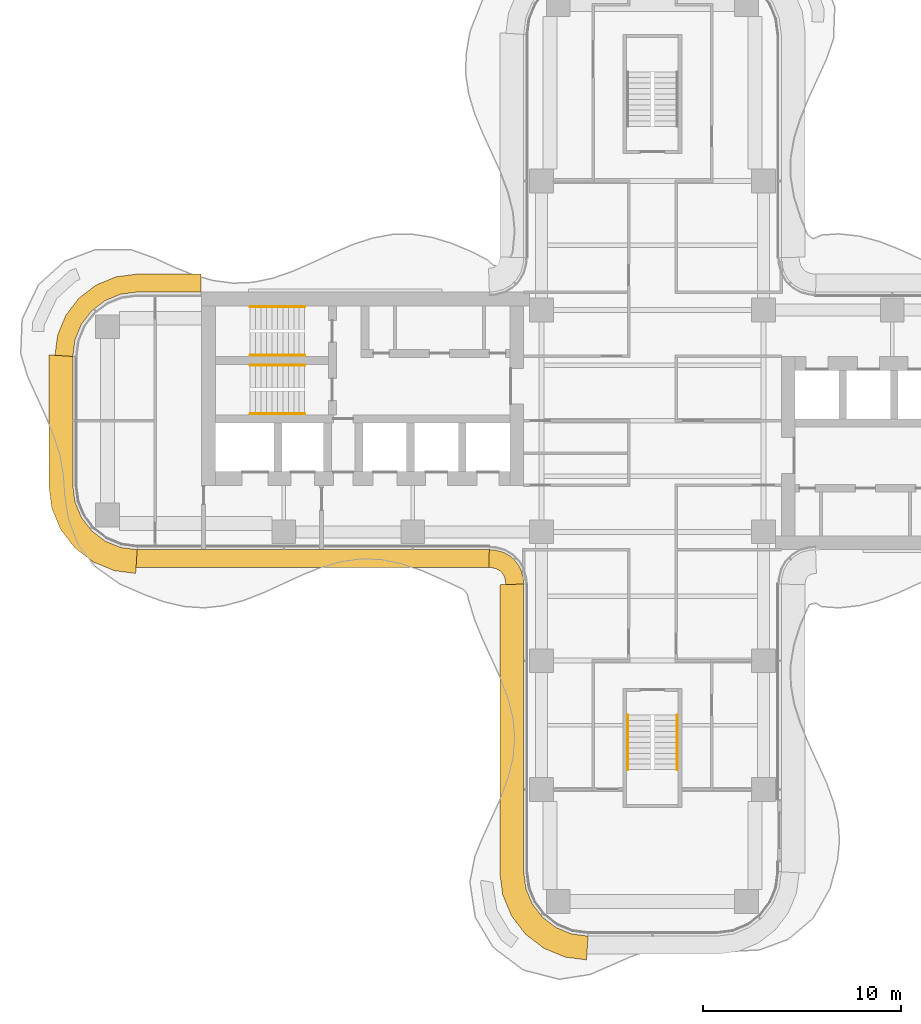
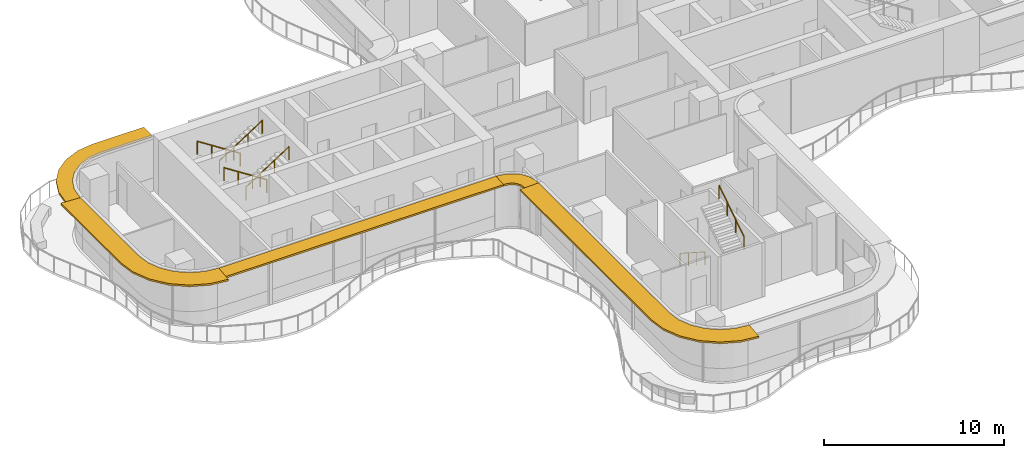
# One storey, part 17 of 18: 6 railings, 5 shading devices.
"""IFC4 building model written with IfcOpenShell, lengths in metres."""

from ifc_helpers import new_model, si_unit, direction, frame, origin, origin_2d, place, context, subcontext, project, spatial, polyline, circle, outline, extrude, source, transform, mapped, material, layer, layer_set, type_object, element, save


model = new_model("IFC4")

# Units and contexts
model_context = context("Model", 3, precision=1e-05, world=origin(), true_north=direction((0.0, 1.0)))
body_context = subcontext(model_context, "Body", "Model", "MODEL_VIEW")
ifc_project = project(units=[si_unit("LENGTHUNIT", "METRE"), si_unit("AREAUNIT", "SQUARE_METRE"), si_unit("VOLUMEUNIT", "CUBIC_METRE"), si_unit("PLANEANGLEUNIT", "RADIAN"), si_unit("MASSUNIT", "GRAM", prefix="KILO")], contexts=[model_context])

# Site, building, storey
site_placement = place(None, origin())
site = spatial("IfcSite", under=ifc_project, at=site_placement, CompositionType="ELEMENT")
building_placement = place(site_placement, origin())
building = spatial("IfcBuilding", under=site, at=building_placement, Name="Trellis Farm Tower", CompositionType="ELEMENT")
storey_placement = place(building_placement, frame((0.0, 0.0, 201.0)))
storey = spatial("IfcBuildingStorey", under=building, at=storey_placement, Name="L44", CompositionType="ELEMENT", Elevation=201.0)

# Railings
ifc_material_1 = material(Name="Stainless steel", Category="steel")
railing_type = type_object("IfcRailingType", Name="STAIR HANDRAIL 900", PredefinedType="HANDRAIL", material=ifc_material_1)
shared_shape_1 = source(origin(), body_context, "Body", "SweptSolid", [
    extrude(circle(Radius=0.02392578125, at=origin_2d()), frame((0.0, 0.0, 0.8759765625), z_axis=(0.0, 0.840503830235, 0.541805602924), x_axis=(-1.0, 0.0, 0.0)), (0.0, 0.0, 1.0), 3.271728515625),
    extrude(circle(Radius=0.02099609375, at=origin_2d()), origin(), (0.0, 0.0, 1.0), 0.851806640625),
    extrude(circle(Radius=0.02099609375, at=origin_2d()), frame((0.0, 0.916748046875, 0.5908203125)), (0.0, 0.0, 1.0), 0.851806640625),
    extrude(circle(Radius=0.02099609375, at=origin_2d()), frame((0.0, 1.833251953125, 1.181884765625)), (0.0, 0.0, 1.0), 0.851806640625),
    extrude(circle(Radius=0.02099609375, at=origin_2d()), frame((0.0, 2.75, 1.772705078125)), (0.0, 0.0, 1.0), 0.851806640625),
])
railing_1_placement = place(storey_placement, frame((1.25, -17.60009765625, 2.127197265625)))
element("IfcRailing", 1, at=railing_1_placement, inside=storey, type_object=railing_type, Name="Stair handrail", PredefinedType="HANDRAIL", context=body_context, shape_type="MappedRepresentation", body=[
    mapped(shared_shape_1, transform((0.0, 0.0, 0.0))),
])
shared_shape_2 = source(origin(), body_context, "Body", "SweptSolid", [
    extrude(circle(Radius=0.02392578125, at=origin_2d()), frame((0.0, 0.0, 0.8759765625), z_axis=(0.0, -0.840503830235, 0.541805602924), x_axis=(1.0, 0.0, 0.0)), (0.0, 0.0, 1.0), 3.271728515625),
    extrude(circle(Radius=0.02099609375, at=origin_2d()), origin(), (0.0, 0.0, 1.0), 0.851806640625),
    extrude(circle(Radius=0.02099609375, at=origin_2d()), frame((0.0, -0.916748046875, 0.5908203125)), (0.0, 0.0, 1.0), 0.851806640625),
    extrude(circle(Radius=0.02099609375, at=origin_2d()), frame((0.0, -1.833251953125, 1.181884765625)), (0.0, 0.0, 1.0), 0.851806640625),
    extrude(circle(Radius=0.02099609375, at=origin_2d()), frame((0.0, -2.75, 1.772705078125)), (0.0, 0.0, 1.0), 0.851806640625),
])
railing_2_placement = place(storey_placement, frame((-1.25, -14.85009765625, 0.17724609375)))
element("IfcRailing", 2, at=railing_2_placement, inside=storey, type_object=railing_type, Name="Stair handrail", PredefinedType="HANDRAIL", context=body_context, shape_type="MappedRepresentation", body=[
    mapped(shared_shape_2, transform((0.0, 0.0, 0.0))),
])
shared_shape_3 = source(origin(), body_context, "Body", "SweptSolid", [
    extrude(circle(Radius=0.02392578125, at=origin_2d()), frame((0.0, 0.0, 0.8759765625), z_axis=(0.840503830235, 0.0, 0.541805602924), x_axis=(0.0, 1.0, 0.0)), (0.0, 0.0, 1.0), 3.271728515625),
    extrude(circle(Radius=0.02099609375, at=origin_2d()), origin(), (0.0, 0.0, 1.0), 0.851806640625),
    extrude(circle(Radius=0.02099609375, at=origin_2d()), frame((0.916748046875, 0.0, 0.5908203125)), (0.0, 0.0, 1.0), 0.851806640625),
    extrude(circle(Radius=0.02099609375, at=origin_2d()), frame((1.833251953125, 0.0, 1.181884765625)), (0.0, 0.0, 1.0), 0.851806640625),
    extrude(circle(Radius=0.02099609375, at=origin_2d()), frame((2.75, 0.0, 1.772705078125)), (0.0, 0.0, 1.0), 0.851806640625),
])
for number, where, name in (
    (3, (-20.300048828125, 3.300048828125, 2.127197265625), "Stair handrail"),
    (4, (-20.300048828125, 0.35009765625, 2.127197265625), "Stair handrail"),
):
    element("IfcRailing", number, at=place(storey_placement, frame(where)), inside=storey, type_object=railing_type, Name=name, PredefinedType="HANDRAIL", context=body_context, shape_type="MappedRepresentation", body=[
        mapped(shared_shape_3, transform((0.0, 0.0, 0.0))),
    ])
shared_shape_4 = source(origin(), body_context, "Body", "SweptSolid", [
    extrude(circle(Radius=0.02392578125, at=origin_2d()), frame((0.0, 0.0, 0.8759765625), z_axis=(-0.840503830235, 0.0, 0.541805602924), x_axis=(0.0, -1.0, 0.0)), (0.0, 0.0, 1.0), 3.271728515625),
    extrude(circle(Radius=0.02099609375, at=origin_2d()), origin(), (0.0, 0.0, 1.0), 0.851806640625),
    extrude(circle(Radius=0.02099609375, at=origin_2d()), frame((-0.916748046875, 0.0, 0.5908203125)), (0.0, 0.0, 1.0), 0.851806640625),
    extrude(circle(Radius=0.02099609375, at=origin_2d()), frame((-1.833251953125, 0.0, 1.181884765625)), (0.0, 0.0, 1.0), 0.851806640625),
    extrude(circle(Radius=0.02099609375, at=origin_2d()), frame((-2.75, 0.0, 1.772705078125)), (0.0, 0.0, 1.0), 0.851806640625),
])
for number, where, name in (
    (5, (-17.550048828125, 5.75, 0.17724609375), "Stair handrail"),
    (6, (-17.550048828125, 2.800048828125, 0.17724609375), "Stair handrail"),
):
    element("IfcRailing", number, at=place(storey_placement, frame(where)), inside=storey, type_object=railing_type, Name=name, PredefinedType="HANDRAIL", context=body_context, shape_type="MappedRepresentation", body=[
        mapped(shared_shape_4, transform((0.0, 0.0, 0.0))),
    ])

# Shading devices
ifc_material_2 = material(Name="Aluminium extrusion 6063-T6", Category="aluminium")
ifc_layer_1 = layer(ifc_material_2, 0.1201171875)
ifc_layer_set_1 = layer_set([ifc_layer_1], Name="SUNSHADE BLADE 900")
shading_device_type_1 = type_object("IfcShadingDeviceType", Name="SUNSHADE BLADE 900", PredefinedType="USERDEFINED", material=ifc_layer_set_1)
shared_shape_5 = source(origin(), body_context, "Body", "SweptSolid", [
    extrude(outline(polyline([(-8.2607421875, -7.39990234375), (-8.107666015625, -7.409912109375), (-8.091552734375, -7.412109375), (-7.85595703125, -7.475341796875), (-7.697021484375, -7.567138671875), (-7.567138671875, -7.697021484375), (-7.475341796875, -7.85595703125), (-7.412109375, -8.091552734375), (-7.409912109375, -8.107666015625), (-7.39990234375, -8.2607421875), (-6.5, -8.2314453125), (-6.513916015625, -8.01953125), (-6.527587890625, -7.91552734375), (-6.63671875, -7.508544921875), (-6.846923828125, -7.144287109375), (-7.144287109375, -6.846923828125), (-7.508544921875, -6.63671875), (-7.91552734375, -6.527587890625), (-8.01953125, -6.513916015625), (-8.2314453125, -6.5), (-8.2607421875, -7.39990234375)])), origin(), (0.0, 0.0, 1.0), 0.119873046875),
])
placement = place(storey_placement, frame((0.0, 0.0, 3.5400390625)))
element("IfcShadingDevice", 7, at=placement, inside=storey, type_object=shading_device_type_1, Name="SD1 002", ObjectType="SUNSHADE", PredefinedType="USERDEFINED", context=body_context, shape_type="MappedRepresentation", body=[
    mapped(shared_shape_5, transform((0.0, 0.0, 0.0))),
])
ifc_layer_2 = layer(ifc_material_2, 0.1201171875)
ifc_layer_set_2 = layer_set([ifc_layer_2], Name="SUNSHADE BLADE 1200")
shading_device_type_2 = type_object("IfcShadingDeviceType", Name="SUNSHADE BLADE 1200", PredefinedType="USERDEFINED", material=ifc_layer_set_2)
shared_shape_6 = source(origin(), body_context, "Body", "SweptSolid", [
    extrude(outline(polyline([(-7.699951171875, -8.270751953125), (-7.699951171875, -22.82861328125), (-7.558349609375, -23.904541015625), (-7.11279296875, -24.980224609375), (-6.404052734375, -25.904052734375), (-5.480224609375, -26.61279296875), (-4.404541015625, -27.058349609375), (-3.32861328125, -27.199951171875), (-3.25, -26.0), (-4.091064453125, -25.88916015625), (-4.875, -25.564697265625), (-5.548095703125, -25.048095703125), (-6.064697265625, -24.375), (-6.38916015625, -23.591064453125), (-6.5, -22.75), (-6.5, -8.2314453125), (-7.699951171875, -8.270751953125)])), origin(), (0.0, 0.0, 1.0), 0.119873046875),
])
element("IfcShadingDevice", 8, at=placement, inside=storey, type_object=shading_device_type_2, Name="SD2 003", ObjectType="SUNSHADE", PredefinedType="USERDEFINED", context=body_context, shape_type="MappedRepresentation", body=[
    mapped(shared_shape_6, transform((0.0, 0.0, 0.0))),
])
shared_shape_7 = source(origin(), body_context, "Body", "SweptSolid", [
    extrude(outline(polyline([(-26.05908203125, -7.39990234375), (-8.2607421875, -7.39990234375), (-8.2314453125, -6.5), (-26.0, -6.5), (-26.05908203125, -7.39990234375)])), origin(), (0.0, 0.0, 1.0), 0.119873046875),
])
element("IfcShadingDevice", 9, at=placement, inside=storey, type_object=shading_device_type_1, Name="SD1 001", ObjectType="SUNSHADE", PredefinedType="USERDEFINED", context=body_context, shape_type="MappedRepresentation", body=[
    mapped(shared_shape_7, transform((0.0, 0.0, 0.0))),
])
shared_shape_8 = source(origin(), body_context, "Body", "SweptSolid", [
    extrude(outline(polyline([(-22.780029296875, 7.39990234375), (-26.05908203125, 7.39990234375), (-27.076171875, 7.26611328125), (-28.078857421875, 6.850830078125), (-28.93994140625, 6.18994140625), (-29.600830078125, 5.328857421875), (-30.01611328125, 4.326171875), (-30.14990234375, 3.30908203125), (-29.25, 3.25), (-29.13916015625, 4.091064453125), (-28.814697265625, 4.875), (-28.298095703125, 5.548095703125), (-27.625, 6.064697265625), (-26.841064453125, 6.38916015625), (-26.0, 6.5), (-22.780029296875, 6.5), (-22.780029296875, 7.39990234375)])), origin(), (0.0, 0.0, 1.0), 0.119873046875),
])
element("IfcShadingDevice", 10, at=placement, inside=storey, type_object=shading_device_type_1, Name="SD1 015", ObjectType="SUNSHADE", PredefinedType="USERDEFINED", context=body_context, shape_type="MappedRepresentation", body=[
    mapped(shared_shape_8, transform((0.0, 0.0, 0.0))),
])
shared_shape_9 = source(origin(), body_context, "Body", "SweptSolid", [
    extrude(outline(polyline([(-30.449951171875, 3.32861328125), (-30.449951171875, -3.32861328125), (-30.308349609375, -4.404541015625), (-29.86279296875, -5.480224609375), (-29.154052734375, -6.404052734375), (-28.230224609375, -7.11279296875), (-27.154541015625, -7.558349609375), (-26.07861328125, -7.699951171875), (-26.0, -6.5), (-26.841064453125, -6.38916015625), (-27.625, -6.064697265625), (-28.298095703125, -5.548095703125), (-28.814697265625, -4.875), (-29.13916015625, -4.091064453125), (-29.25, -3.25), (-29.25, 3.25), (-30.449951171875, 3.32861328125)])), origin(), (0.0, 0.0, 1.0), 0.119873046875),
])
element("IfcShadingDevice", 11, at=placement, inside=storey, type_object=shading_device_type_2, Name="SD2 016", ObjectType="SUNSHADE", PredefinedType="USERDEFINED", context=body_context, shape_type="MappedRepresentation", body=[
    mapped(shared_shape_9, transform((0.0, 0.0, 0.0))),
])

save(model, "model.ifc")
